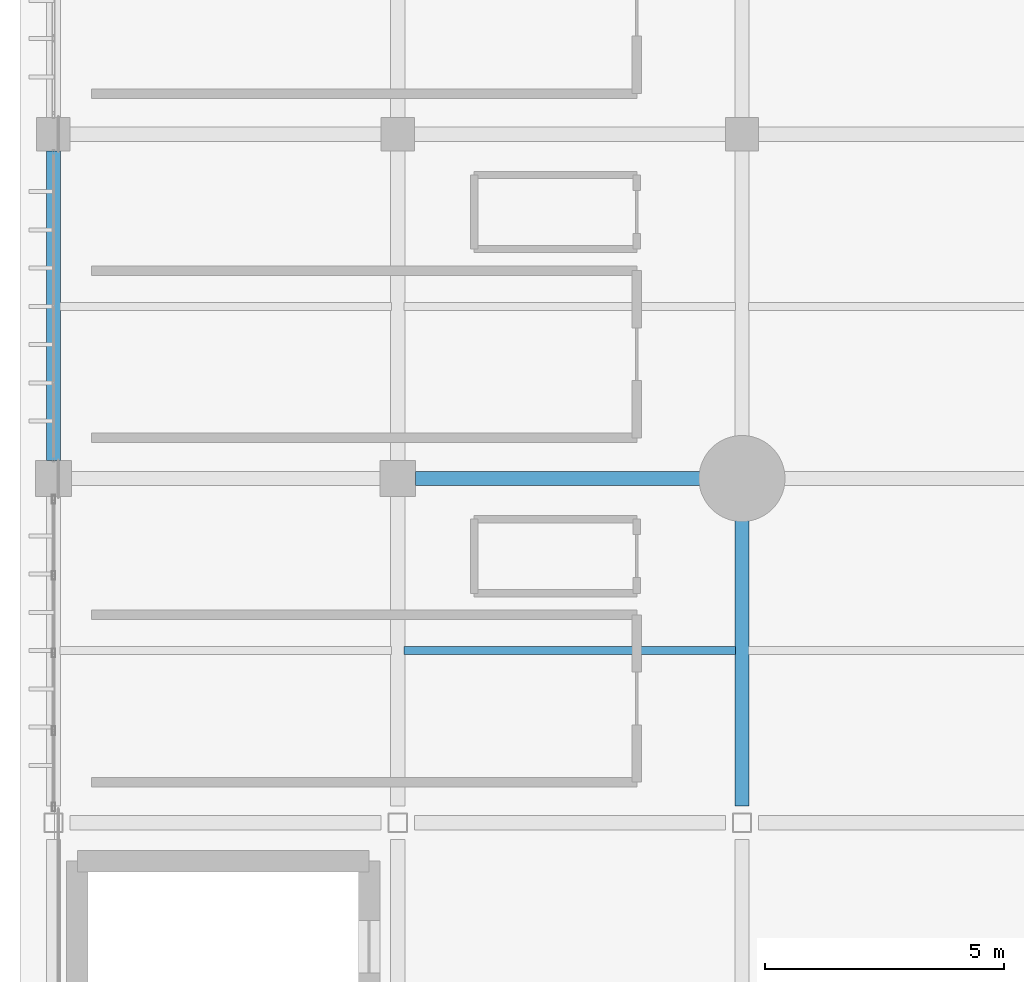
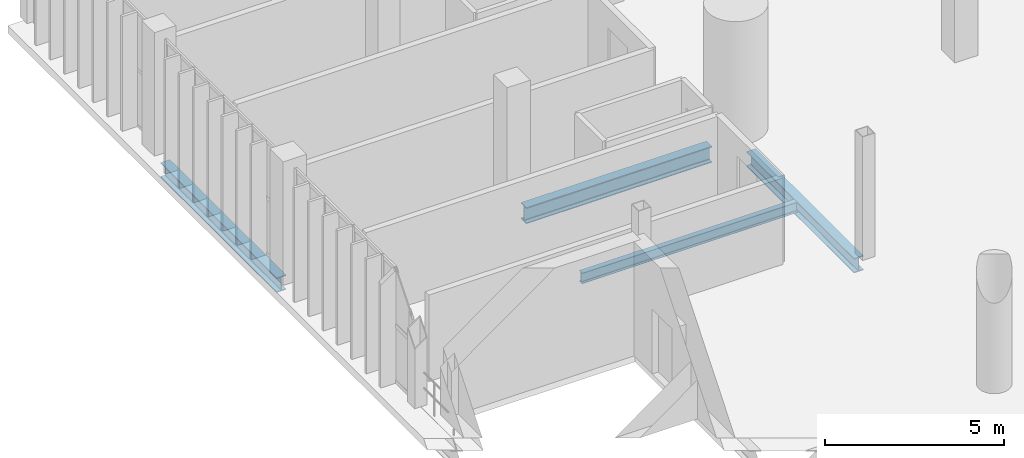
# One storey, part 55 of 130: 4 beams.
"""IFC4 building model written with IfcOpenShell, lengths in metres."""

from ifc_helpers import new_model, si_unit, direction, frame, origin, origin_2d, place, context, subcontext, project, spatial, i_section, extrude, material, material_profile, profile_set, type_object, element, save


model = new_model("IFC4")

# Units and contexts
model_context = context("Model", 3, precision=1e-05, world=origin(), true_north=direction((0.0, 1.0)))
body_context = subcontext(model_context, "Body", "Model", "MODEL_VIEW")
ifc_project = project(units=[si_unit("LENGTHUNIT", "METRE"), si_unit("AREAUNIT", "SQUARE_METRE"), si_unit("VOLUMEUNIT", "CUBIC_METRE"), si_unit("PLANEANGLEUNIT", "RADIAN"), si_unit("MASSUNIT", "GRAM", prefix="KILO")], contexts=[model_context])

# Site, building, storey
site_placement = place(None, origin())
site = spatial("IfcSite", under=ifc_project, at=site_placement, CompositionType="ELEMENT")
building_placement = place(site_placement, origin())
building = spatial("IfcBuilding", under=site, at=building_placement, Name="Qandorah Velis Arena", CompositionType="ELEMENT")
storey_placement = place(building_placement, frame((0.0, 0.0, 9.60009765625)))
storey = spatial("IfcBuildingStorey", under=building, at=storey_placement, Name="L02", CompositionType="ELEMENT", Elevation=9.60009765625)

# Beams
ifc_material = material(Name="Steel S355", Category="steel")
ifc_material_profile_1 = material_profile(ifc_material, i_section(OverallWidth=0.300048828125, OverallDepth=0.5, WebThickness=0.014404296875, FlangeThickness=0.028076171875, FilletRadius=0.027099609375, at=origin_2d()), Name="HEB 500")
ifc_profile_set_1 = profile_set([ifc_material_profile_1], Name="Steel S355")
beam_type_1 = type_object("IfcBeamType", Name="STR-BM-HEB500", PredefinedType="BEAM", material=ifc_profile_set_1)
beam_1_placement = place(storey_placement, frame((0.0, 101.175048828125, -0.530029296875), z_axis=(0.0, 1.0, 0.0), x_axis=(-1.0, 0.0, 0.0)))
element("IfcBeam", 1, at=beam_1_placement, inside=storey, type_object=beam_type_1, Name="Primary floor girder L02 Y-196", PredefinedType="BEAM", context=body_context, shape_type="SweptSolid", body=[
    extrude(i_section(OverallWidth=0.300048828125, OverallDepth=0.5, WebThickness=0.014404296875, FlangeThickness=0.028076171875, FilletRadius=0.027099609375, at=origin_2d()), origin(), (0.0, 0.0, 1.0), 6.474853515625),
])
beam_2_placement = place(storey_placement, frame((14.39990234375, 93.949951171875, -0.530029296875), z_axis=(0.0, 1.0, 0.0), x_axis=(-1.0, 0.0, 0.0)))
element("IfcBeam", 2, at=beam_2_placement, inside=storey, type_object=beam_type_1, Name="Primary floor girder L02 Y-223", PredefinedType="BEAM", context=body_context, shape_type="SweptSolid", body=[
    extrude(i_section(OverallWidth=0.300048828125, OverallDepth=0.5, WebThickness=0.014404296875, FlangeThickness=0.028076171875, FilletRadius=0.027099609375, at=origin_2d()), origin(), (0.0, 0.0, 1.0), 6.0),
])
ifc_material_profile_2 = material_profile(ifc_material, i_section(OverallWidth=0.300048828125, OverallDepth=0.550048828125, WebThickness=0.014892578125, FlangeThickness=0.029052734375, FilletRadius=0.027099609375, at=origin_2d()), Name="HEB 550")
ifc_profile_set_2 = profile_set([ifc_material_profile_2], Name="Steel S355")
beam_type_2 = type_object("IfcBeamType", Name="STR-BM-HEB550", PredefinedType="BEAM", material=ifc_profile_set_2)
beam_3_placement = place(storey_placement, frame((7.574951171875, 100.800048828125, -0.55517578125), z_axis=(1.0, 0.0, 0.0), x_axis=(0.0, 1.0, 0.0)))
element("IfcBeam", 3, at=beam_3_placement, inside=storey, type_object=beam_type_2, Name="Primary floor girder L02 X-123", PredefinedType="BEAM", context=body_context, shape_type="SweptSolid", body=[
    extrude(i_section(OverallWidth=0.300048828125, OverallDepth=0.550048828125, WebThickness=0.014892578125, FlangeThickness=0.029052734375, FilletRadius=0.027099609375, at=origin_2d()), origin(), (0.0, 0.0, 1.0), 5.97509765625),
])
ifc_material_profile_3 = material_profile(ifc_material, i_section(OverallWidth=0.169921875, OverallDepth=0.360107421875, WebThickness=0.008056640625, FlangeThickness=0.0126953125, FilletRadius=0.01806640625, at=origin_2d()), Name="IPE 360")
ifc_profile_set_3 = profile_set([ifc_material_profile_3], Name="Steel S355")
beam_type_3 = type_object("IfcBeamType", Name="STR-JST-IPE360", PredefinedType="JOIST", material=ifc_profile_set_3)
beam_4_placement = place(storey_placement, frame((7.3349609375, 97.199951171875, -0.460205078125), z_axis=(1.0, 0.0, 0.0), x_axis=(0.0, 1.0, 0.0)))
element("IfcBeam", 4, at=beam_4_placement, inside=storey, type_object=beam_type_3, Name="Secondary floor joist L02-022", PredefinedType="JOIST", context=body_context, shape_type="SweptSolid", body=[
    extrude(i_section(OverallWidth=0.169921875, OverallDepth=0.360107421875, WebThickness=0.008056640625, FlangeThickness=0.0126953125, FilletRadius=0.01806640625, at=origin_2d()), origin(), (0.0, 0.0, 1.0), 6.929931640625),
])

save(model, "model.ifc")
